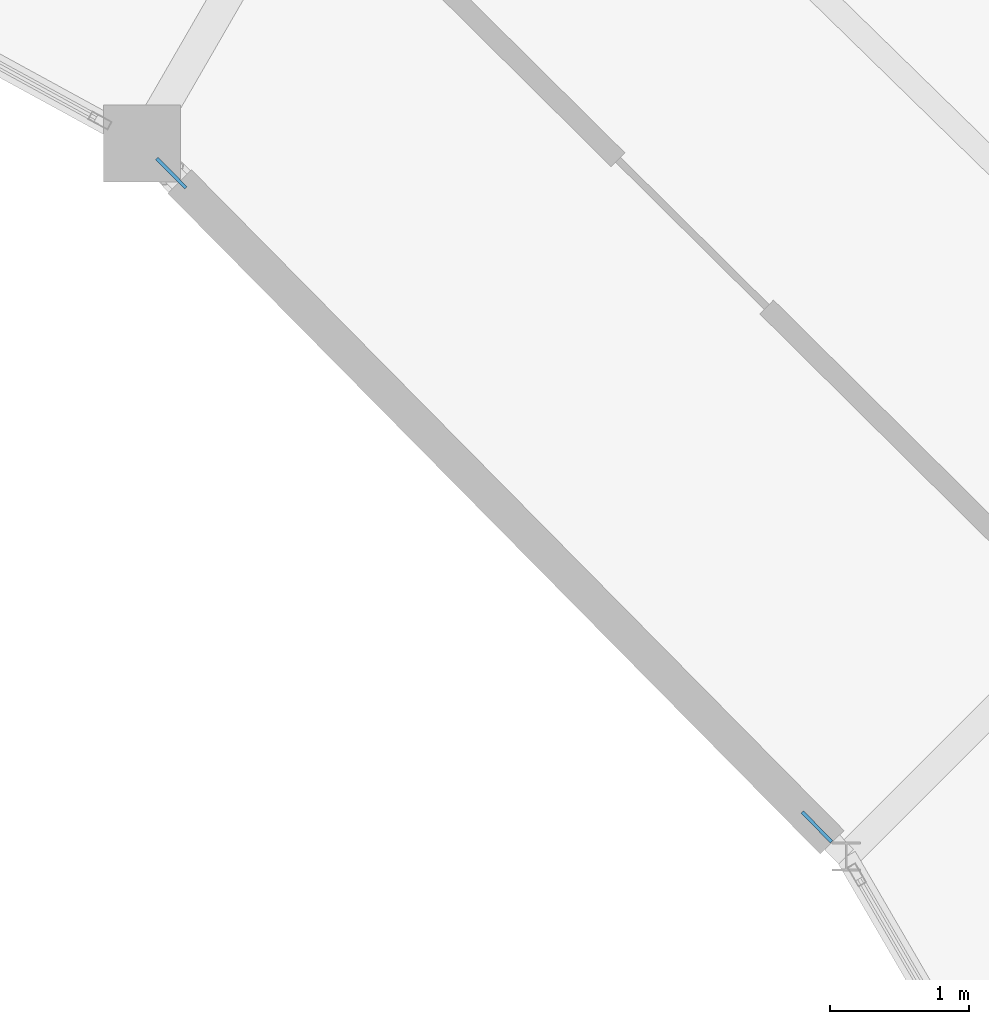
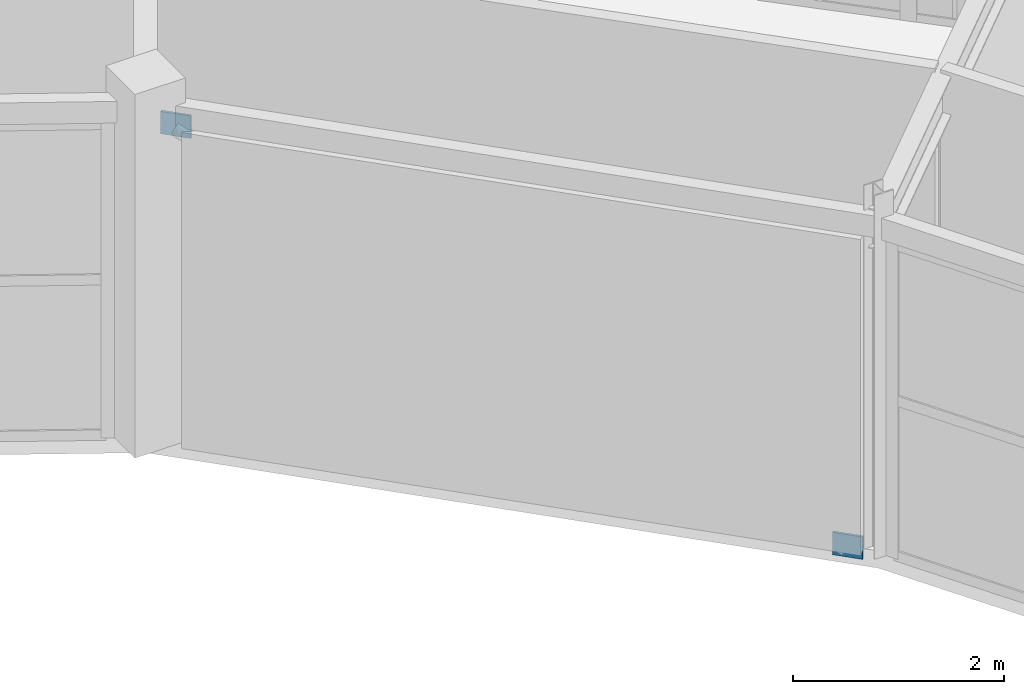
# One storey, part 114 of 134: 2 plates.
"""IFC4 building model written with IfcOpenShell, lengths in metres."""

from ifc_helpers import new_model, si_unit, direction, frame, origin, origin_2d, place, context, subcontext, project, spatial, rectangle, extrude, material, layer, layer_set, type_object, element, save


model = new_model("IFC4")

# Units and contexts
model_context = context("Model", 3, precision=1e-05, world=origin(), true_north=direction((0.0, 1.0)))
body_context = subcontext(model_context, "Body", "Model", "MODEL_VIEW")
ifc_project = project(units=[si_unit("LENGTHUNIT", "METRE"), si_unit("AREAUNIT", "SQUARE_METRE"), si_unit("VOLUMEUNIT", "CUBIC_METRE"), si_unit("PLANEANGLEUNIT", "RADIAN"), si_unit("MASSUNIT", "GRAM", prefix="KILO")], contexts=[model_context])

# Site, building, storey
site_placement = place(None, origin())
site = spatial("IfcSite", under=ifc_project, at=site_placement, CompositionType="ELEMENT")
building_placement = place(site_placement, origin())
building = spatial("IfcBuilding", under=site, at=building_placement, Name="Karori Crest Natural Sciences Institute", CompositionType="ELEMENT")
storey_placement = place(building_placement, frame((0.0, 0.0, 21.699951171875)))
storey = spatial("IfcBuildingStorey", under=building, at=storey_placement, Name="L05", CompositionType="ELEMENT", Elevation=21.699951171875)

# Plates
ifc_material = material(Name="Structural steel AS/NZS 3679.1 Grade 350", Category="steel")
ifc_layer = layer(ifc_material, 0.02490234375, Name="Structural steel AS/NZS 3679.1 Grade 350")
ifc_layer_set = layer_set([ifc_layer], Name="Structural steel AS/NZS 3679.1 Grade 350")
plate_type = type_object("IfcPlateType", Name="PLT-06", PredefinedType="SHEET", material=ifc_layer_set)
for number, where, z_axis, x_axis, name in (
    (1, (83.442626953125, 72.88232421875, -0.11962890625), (0.0, 0.0, 1.0), (-0.702663630174, 0.711522187167, 0.0), "Brace gusset plate EP-0049"),
    (2, (78.810791015625, 77.572509765625, 3.5205078125), (0.0, 0.0, 1.0), (-0.702663630174, 0.711522187167, 0.0), "Brace gusset plate EP-0050"),
):
    element("IfcPlate", number, at=place(storey_placement, frame(where, z_axis=z_axis, x_axis=x_axis)), inside=storey, type_object=plate_type, Name=name, PredefinedType="SHEET", context=body_context, shape_type="SweptSolid", body=[
        extrude(rectangle(XDim=0.299072265625, YDim=0.02490234375, at=origin_2d()), origin(), (0.0, 0.0, 1.0), 0.259033203125),
    ])

save(model, "model.ifc")
